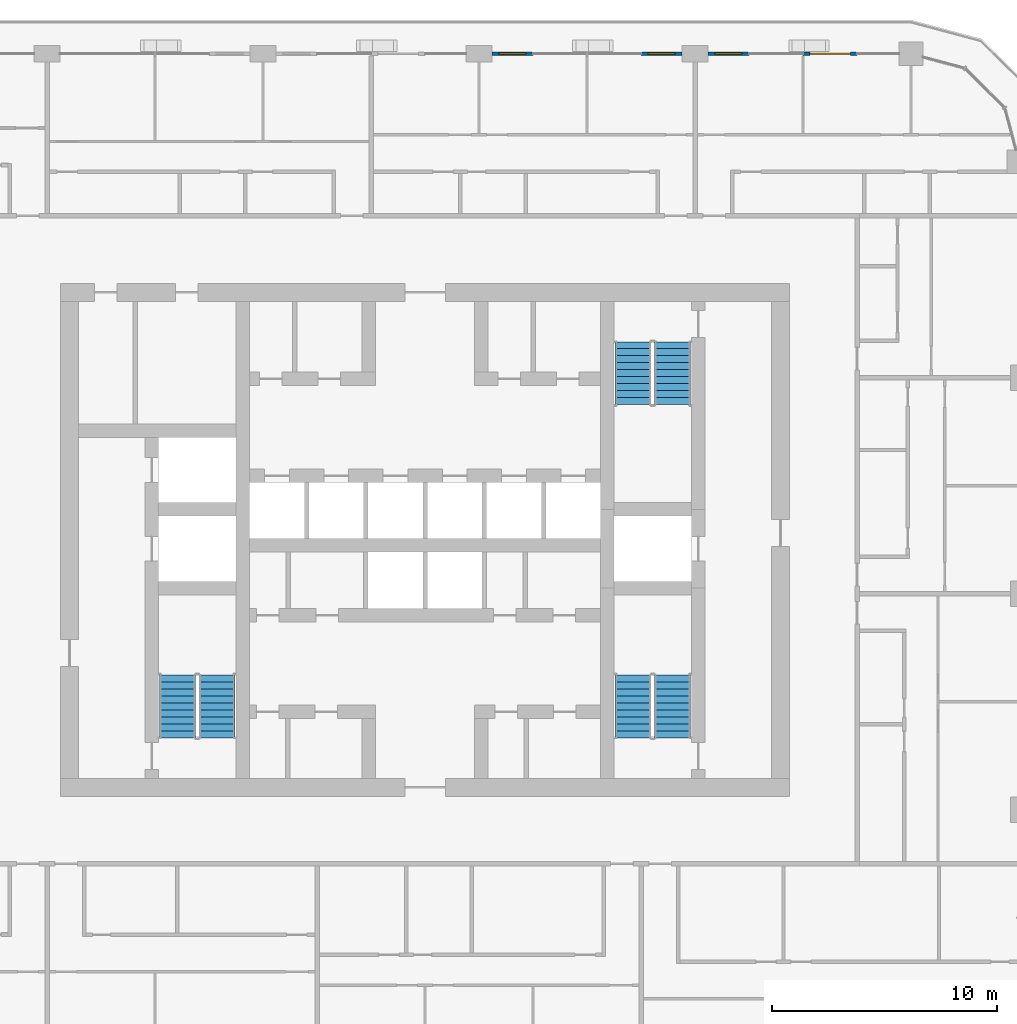
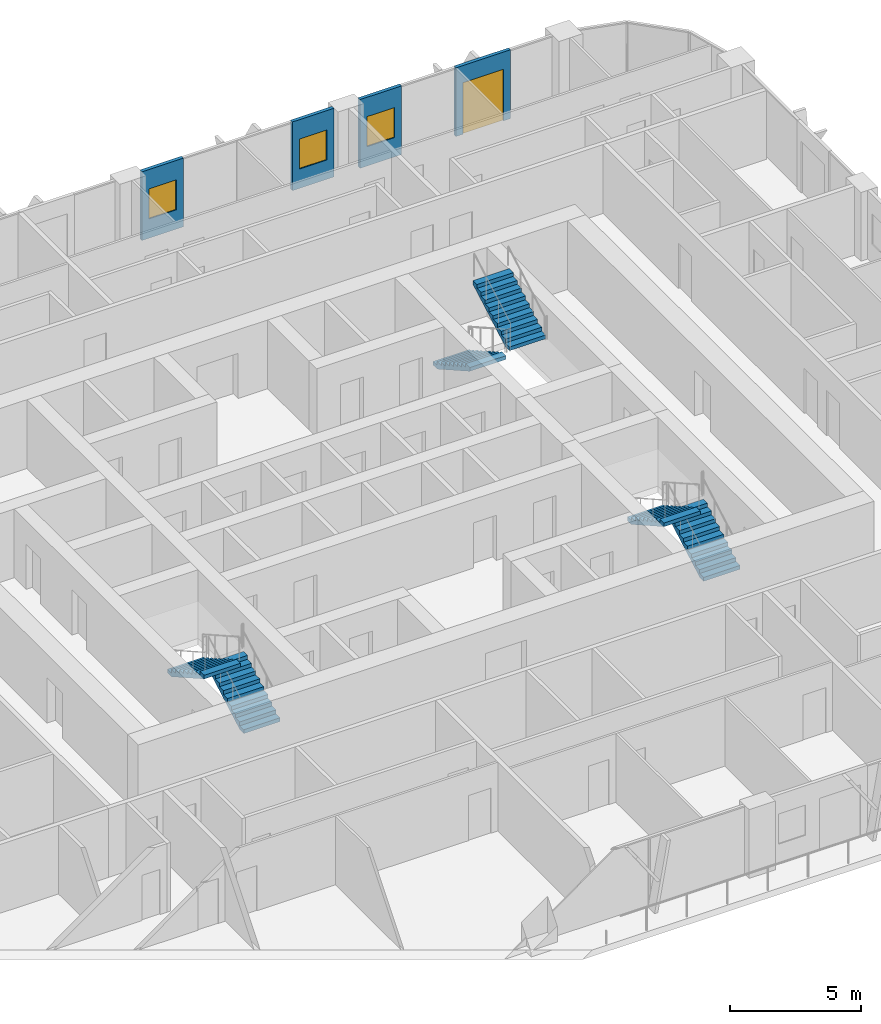
# One storey, part 16 of 22: 6 stair flights, 4 walls, 3 windows, 1 door, 4 openings, 3 elements without a shape of their own.
"""IFC4 building model written with IfcOpenShell, lengths in metres."""

from ifc_helpers import new_model, si_unit, direction, frame, frame_2d, origin, place, context, subcontext, project, spatial, polyline, rectangle, outline, extrude, material, layer, layer_set, type_object, element, fill, aggregate, save


model = new_model("IFC4")

# Units and contexts
model_context = context("Model", 3, precision=1e-05, world=origin(), true_north=direction((0.0, 1.0)))
body_context = subcontext(model_context, "Body", "Model", "MODEL_VIEW")
ifc_project = project(units=[si_unit("LENGTHUNIT", "METRE"), si_unit("AREAUNIT", "SQUARE_METRE"), si_unit("VOLUMEUNIT", "CUBIC_METRE"), si_unit("PLANEANGLEUNIT", "RADIAN"), si_unit("MASSUNIT", "GRAM", prefix="KILO")], contexts=[model_context])

# Site, building, storey
site_placement = place(None, origin())
site = spatial("IfcSite", under=ifc_project, at=site_placement, CompositionType="ELEMENT")
building_placement = place(site_placement, origin())
building = spatial("IfcBuilding", under=site, at=building_placement, Name="Madar Terraces", CompositionType="ELEMENT")
storey_placement = place(building_placement, frame((0.0, 0.0, 156.0)))
storey = spatial("IfcBuildingStorey", under=building, at=storey_placement, Name="L40", CompositionType="ELEMENT", Elevation=156.0)

# Wall, opening, door
ifc_material_1 = material(Name="Aluminium composite panel, black, over insulated backing", Category="aluminium")
ifc_layer = layer(ifc_material_1, 0.14990234375)
ifc_layer_set = layer_set([ifc_layer], Name="Facade bay panel 150")
wall_type = type_object("IfcWallType", Name="Facade bay panel 150", PredefinedType="SOLIDWALL", material=ifc_layer_set)
wall_1_placement = place(storey_placement, frame((50.39990234375, 48.0, 0.0), z_axis=(0.0, 0.0, 1.0), x_axis=(-1.0, 0.0, 0.0)))
wall_1 = element("IfcWall", 1, at=wall_1_placement, inside=storey, type_object=wall_type, Name="Facade bay panel", PredefinedType="SOLIDWALL", context=body_context, shape_type="SweptSolid", body=[
    extrude(rectangle(XDim=2.39990234375, YDim=0.14990234375, at=frame_2d((1.199951171875, 0.0))), origin(), (0.0, 0.0, 1.0), 3.199951171875),
])
opening_1_placement = place(wall_1_placement, frame((0.300048828125, 0.0, 0.0)))
opening_1 = element("IfcOpeningElement", 2, at=opening_1_placement, cuts=wall_1, Name="Opening ED1", PredefinedType="OPENING", context=body_context, shape_type="SweptSolid", body=[
    extrude(rectangle(XDim=1.800048828125, YDim=2.39990234375, at=frame_2d((0.89990234375, 1.199951171875))), frame((0.0, 0.0849609375, 0.0), z_axis=(0.0, -1.0, 0.0), x_axis=(1.0, 0.0, 0.0)), (0.0, 0.0, 1.0), 0.169921875),
])
ifc_material_2 = material(Name="Glass, clear, with black aluminium frame", Category="aluminium")
door_type = type_object("IfcDoorType", Name="Balcony and terrace sliding door 1800 x 2400", OperationType="SLIDING_TO_LEFT", PredefinedType="DOOR", material=ifc_material_2)
door_placement = place(opening_1_placement, origin())
door = element("IfcDoor", 3, at=door_placement, inside=storey, type_object=door_type, Name="Balcony door", OperationType="SLIDING_TO_RIGHT", OverallHeight=2.39990234375, OverallWidth=1.800048828125, PredefinedType="DOOR", context=body_context, shape_type="SweptSolid", body=[
    extrude(rectangle(XDim=1.800048828125, YDim=2.39990234375, at=frame_2d((0.89990234375, 1.199951171875))), frame((0.0, 0.02490234375, 0.0), z_axis=(0.0, -1.0, 0.0), x_axis=(1.0, 0.0, 0.0)), (0.0, 0.0, 1.0), 0.050048828125),
])
fill(opening_1, door)

# Wall, opening, window
wall_2_placement = place(storey_placement, frame((45.60009765625, 48.0, 0.0), z_axis=(0.0, 0.0, 1.0), x_axis=(-1.0, 0.0, 0.0)))
wall_2 = element("IfcWall", 4, at=wall_2_placement, inside=storey, type_object=wall_type, Name="Facade bay panel", PredefinedType="SOLIDWALL", context=body_context, shape_type="SweptSolid", body=[
    extrude(rectangle(XDim=1.8251953125, YDim=0.14990234375, at=frame_2d((0.91259765625, 0.0))), origin(), (0.0, 0.0, 1.0), 3.199951171875),
])
opening_2_placement = place(wall_2_placement, frame((0.3125, 0.0, 0.89990234375)))
opening_2 = element("IfcOpeningElement", 5, at=opening_2_placement, cuts=wall_2, Name="Opening W1", PredefinedType="OPENING", context=body_context, shape_type="SweptSolid", body=[
    extrude(rectangle(XDim=1.199951171875, YDim=1.39990234375, at=frame_2d((0.60009765625, 0.699951171875))), frame((0.0, 0.0849609375, 0.0), z_axis=(0.0, -1.0, 0.0), x_axis=(1.0, 0.0, 0.0)), (0.0, 0.0, 1.0), 0.169921875),
])
ifc_material_3 = material(Name="Glass, clear, with black aluminium frame", Category="aluminium")
window_type = type_object("IfcWindowType", Name="Vent window 1200 x 1400", PartitioningType="SINGLE_PANEL", PredefinedType="WINDOW", material=ifc_material_3)
window_1_placement = place(opening_2_placement, origin())
window_1 = element("IfcWindow", 6, at=window_1_placement, inside=storey, type_object=window_type, Name="Operable vent window", OverallHeight=1.39990234375, OverallWidth=1.199951171875, PartitioningType="SINGLE_PANEL", PredefinedType="WINDOW", context=body_context, shape_type="SweptSolid", body=[
    extrude(rectangle(XDim=1.199951171875, YDim=1.39990234375, at=frame_2d((0.60009765625, 0.699951171875))), frame((0.0, 0.030029296875, 0.0), z_axis=(0.0, -1.0, 0.0), x_axis=(1.0, 0.0, 0.0)), (0.0, 0.0, 1.0), 0.06005859375),
])
fill(opening_2, window_1)

wall_3_placement = place(storey_placement, frame((42.625, 48.0, 0.0), z_axis=(0.0, 0.0, 1.0), x_axis=(-1.0, 0.0, 0.0)))
wall_3 = element("IfcWall", 7, at=wall_3_placement, inside=storey, type_object=wall_type, Name="Facade bay panel", PredefinedType="SOLIDWALL", context=body_context, shape_type="SweptSolid", body=[
    extrude(rectangle(XDim=1.824951171875, YDim=0.14990234375, at=frame_2d((0.91259765625, 0.0))), origin(), (0.0, 0.0, 1.0), 3.199951171875),
])
opening_3_placement = place(wall_3_placement, frame((0.3125, 0.0, 0.89990234375)))
opening_3 = element("IfcOpeningElement", 8, at=opening_3_placement, cuts=wall_3, Name="Opening W1", PredefinedType="OPENING", context=body_context, shape_type="SweptSolid", body=[
    extrude(rectangle(XDim=1.199951171875, YDim=1.39990234375, at=frame_2d((0.60009765625, 0.699951171875))), frame((0.0, 0.0849609375, 0.0), z_axis=(0.0, -1.0, 0.0), x_axis=(1.0, 0.0, 0.0)), (0.0, 0.0, 1.0), 0.169921875),
])
window_2_placement = place(opening_3_placement, origin())
window_2 = element("IfcWindow", 9, at=window_2_placement, inside=storey, type_object=window_type, Name="Operable vent window", OverallHeight=1.39990234375, OverallWidth=1.199951171875, PartitioningType="SINGLE_PANEL", PredefinedType="WINDOW", context=body_context, shape_type="SweptSolid", body=[
    extrude(rectangle(XDim=1.199951171875, YDim=1.39990234375, at=frame_2d((0.60009765625, 0.699951171875))), frame((0.0, 0.030029296875, 0.0), z_axis=(0.0, -1.0, 0.0), x_axis=(1.0, 0.0, 0.0)), (0.0, 0.0, 1.0), 0.06005859375),
])
fill(opening_3, window_2)

wall_4_placement = place(storey_placement, frame((36.0, 48.0, 0.0), z_axis=(0.0, 0.0, 1.0), x_axis=(-1.0, 0.0, 0.0)))
wall_4 = element("IfcWall", 10, at=wall_4_placement, inside=storey, type_object=wall_type, Name="Facade bay panel", PredefinedType="SOLIDWALL", context=body_context, shape_type="SweptSolid", body=[
    extrude(rectangle(XDim=1.824951171875, YDim=0.14990234375, at=frame_2d((0.91259765625, 0.0))), origin(), (0.0, 0.0, 1.0), 3.199951171875),
])
opening_4_placement = place(wall_4_placement, frame((0.3125, 0.0, 0.89990234375)))
opening_4 = element("IfcOpeningElement", 11, at=opening_4_placement, cuts=wall_4, Name="Opening W1", PredefinedType="OPENING", context=body_context, shape_type="SweptSolid", body=[
    extrude(rectangle(XDim=1.199951171875, YDim=1.39990234375, at=frame_2d((0.60009765625, 0.699951171875))), frame((0.0, 0.0849609375, 0.0), z_axis=(0.0, -1.0, 0.0), x_axis=(1.0, 0.0, 0.0)), (0.0, 0.0, 1.0), 0.169921875),
])
window_3_placement = place(opening_4_placement, origin())
window_3 = element("IfcWindow", 12, at=window_3_placement, inside=storey, type_object=window_type, Name="Operable vent window", OverallHeight=1.39990234375, OverallWidth=1.199951171875, PartitioningType="SINGLE_PANEL", PredefinedType="WINDOW", context=body_context, shape_type="SweptSolid", body=[
    extrude(rectangle(XDim=1.199951171875, YDim=1.39990234375, at=frame_2d((0.60009765625, 0.699951171875))), frame((0.0, 0.030029296875, 0.0), z_axis=(0.0, -1.0, 0.0), x_axis=(1.0, 0.0, 0.0)), (0.0, 0.0, 1.0), 0.06005859375),
])
fill(opening_4, window_3)

# Stair, stair flights
ifc_material_4 = material(Name="Concrete C50/60", Category="concrete")
stair_type_1 = type_object("IfcStairType", Name="Stair ST1 protected exit", PredefinedType="HALF_TURN_STAIR", material=ifc_material_4)
stair_1_placement = place(storey_placement, origin())
stair_1 = element("IfcStair", 13, at=stair_1_placement, inside=storey, type_object=stair_type_1, Name="L40 Protected Exit Stair ST1", PredefinedType="HALF_TURN_STAIR")
ifc_material_5 = material(Name="Concrete C50/60", Category="concrete")
stair_flight_type_1 = type_object("IfcStairFlightType", Name="Stair flight ST1-F4, 1600 wide, 10 risers", PredefinedType="STRAIGHT", material=ifc_material_5)
stair_flight_1_placement = place(storey_placement, frame((21.949951171875, 17.60009765625, 0.0), z_axis=(0.0, 0.0, 1.0), x_axis=(0.0, 1.0, 0.0)))
stair_flight_1 = element("IfcStairFlight", 14, at=stair_flight_1_placement, type_object=stair_flight_type_1, Name="ST1 flight 1", NumberOfRisers=10, NumberOfTreads=9, PredefinedType="STRAIGHT", RiserHeight=0.175, TreadLength=0.31, context=body_context, shape_type="SweptSolid", body=[
    extrude(outline(polyline([(0.0, 0.0), (0.0, 0.175048828125), (0.31005859375, 0.175048828125), (0.31005859375, 0.35009765625), (0.6201171875, 0.35009765625), (0.6201171875, 0.52490234375), (0.929931640625, 0.52490234375), (0.929931640625, 0.699951171875), (1.239990234375, 0.699951171875), (1.239990234375, 0.875), (1.550048828125, 0.875), (1.550048828125, 1.050048828125), (1.860107421875, 1.050048828125), (1.860107421875, 1.22509765625), (2.169921875, 1.22509765625), (2.169921875, 1.39990234375), (2.47998046875, 1.39990234375), (2.47998046875, 1.574951171875), (2.7900390625, 1.574951171875), (2.7900390625, 1.75), (2.7900390625, 1.40283203125), (0.304931640625, 0.0), (0.0, 0.0)])), frame((0.0, 0.800048828125, 0.0), z_axis=(0.0, -1.0, 0.0), x_axis=(1.0, 0.0, 0.0)), (0.0, 0.0, 1.0), 1.60009765625),
])
stair_flight_2_placement = place(storey_placement, frame((20.199951171875, 20.389892578125, 1.75), z_axis=(0.0, 0.0, 1.0), x_axis=(0.0, -1.0, 0.0)))
stair_flight_2 = element("IfcStairFlight", 15, at=stair_flight_2_placement, type_object=stair_flight_type_1, Name="ST1 flight 2", NumberOfRisers=10, NumberOfTreads=9, PredefinedType="STRAIGHT", RiserHeight=0.175, TreadLength=0.31, context=body_context, shape_type="SweptSolid", body=[
    extrude(outline(polyline([(0.0, 0.0), (0.0, 0.175048828125), (0.31005859375, 0.175048828125), (0.31005859375, 0.35009765625), (0.6201171875, 0.35009765625), (0.6201171875, 0.52490234375), (0.929931640625, 0.52490234375), (0.929931640625, 0.699951171875), (1.239990234375, 0.699951171875), (1.239990234375, 0.875), (1.550048828125, 0.875), (1.550048828125, 1.050048828125), (1.860107421875, 1.050048828125), (1.860107421875, 1.22509765625), (2.169921875, 1.22509765625), (2.169921875, 1.39990234375), (2.47998046875, 1.39990234375), (2.47998046875, 1.574951171875), (2.7900390625, 1.574951171875), (2.7900390625, 1.75), (2.7900390625, 1.40283203125), (0.304931640625, 0.0), (0.0, 0.0)])), frame((0.0, 0.800048828125, 0.0), z_axis=(0.0, -1.0, 0.0), x_axis=(1.0, 0.0, 0.0)), (0.0, 0.0, 1.0), 1.60009765625),
])
aggregate(stair_1, [stair_flight_1, stair_flight_2])

ifc_material_6 = material(Name="Concrete C50/60", Category="concrete")
stair_type_2 = type_object("IfcStairType", Name="Stair ST2 protected exit", PredefinedType="HALF_TURN_STAIR", material=ifc_material_6)
stair_2_placement = place(storey_placement, origin())
stair_2 = element("IfcStair", 16, at=stair_2_placement, inside=storey, type_object=stair_type_2, Name="L40 Protected Exit Stair ST2", PredefinedType="HALF_TURN_STAIR")
ifc_material_7 = material(Name="Concrete C50/60", Category="concrete")
stair_flight_type_2 = type_object("IfcStairFlightType", Name="Stair flight ST2-F4, 1600 wide, 10 risers", PredefinedType="STRAIGHT", material=ifc_material_7)
stair_flight_3_placement = place(storey_placement, frame((40.449951171875, 35.199951171875, 0.0), z_axis=(0.0, 0.0, 1.0), x_axis=(0.0, -1.0, 0.0)))
stair_flight_3 = element("IfcStairFlight", 17, at=stair_flight_3_placement, type_object=stair_flight_type_2, Name="ST2 flight 1", NumberOfRisers=10, NumberOfTreads=9, PredefinedType="STRAIGHT", RiserHeight=0.175, TreadLength=0.31, context=body_context, shape_type="SweptSolid", body=[
    extrude(outline(polyline([(0.0, 0.0), (0.0, 0.175048828125), (0.31005859375, 0.175048828125), (0.31005859375, 0.35009765625), (0.6201171875, 0.35009765625), (0.6201171875, 0.52490234375), (0.929931640625, 0.52490234375), (0.929931640625, 0.699951171875), (1.239990234375, 0.699951171875), (1.239990234375, 0.875), (1.550048828125, 0.875), (1.550048828125, 1.050048828125), (1.860107421875, 1.050048828125), (1.860107421875, 1.22509765625), (2.169921875, 1.22509765625), (2.169921875, 1.39990234375), (2.47998046875, 1.39990234375), (2.47998046875, 1.574951171875), (2.7900390625, 1.574951171875), (2.7900390625, 1.75), (2.7900390625, 1.40283203125), (0.304931640625, 0.0), (0.0, 0.0)])), frame((0.0, 0.800048828125, 0.0), z_axis=(0.0, -1.0, 0.0), x_axis=(1.0, 0.0, 0.0)), (0.0, 0.0, 1.0), 1.60009765625),
])
stair_flight_4_placement = place(storey_placement, frame((42.199951171875, 32.409912109375, 1.75), z_axis=(0.0, 0.0, 1.0), x_axis=(0.0, 1.0, 0.0)))
stair_flight_4 = element("IfcStairFlight", 18, at=stair_flight_4_placement, type_object=stair_flight_type_2, Name="ST2 flight 2", NumberOfRisers=10, NumberOfTreads=9, PredefinedType="STRAIGHT", RiserHeight=0.175, TreadLength=0.31, context=body_context, shape_type="SweptSolid", body=[
    extrude(outline(polyline([(0.0, 0.0), (0.0, 0.175048828125), (0.31005859375, 0.175048828125), (0.31005859375, 0.35009765625), (0.6201171875, 0.35009765625), (0.6201171875, 0.52490234375), (0.929931640625, 0.52490234375), (0.929931640625, 0.699951171875), (1.239990234375, 0.699951171875), (1.239990234375, 0.875), (1.550048828125, 0.875), (1.550048828125, 1.050048828125), (1.860107421875, 1.050048828125), (1.860107421875, 1.22509765625), (2.169921875, 1.22509765625), (2.169921875, 1.39990234375), (2.47998046875, 1.39990234375), (2.47998046875, 1.574951171875), (2.7900390625, 1.574951171875), (2.7900390625, 1.75), (2.7900390625, 1.40283203125), (0.304931640625, 0.0), (0.0, 0.0)])), frame((0.0, 0.800048828125, 0.0), z_axis=(0.0, -1.0, 0.0), x_axis=(1.0, 0.0, 0.0)), (0.0, 0.0, 1.0), 1.60009765625),
])
aggregate(stair_2, [stair_flight_3, stair_flight_4])

ifc_material_8 = material(Name="Concrete C50/60", Category="concrete")
stair_type_3 = type_object("IfcStairType", Name="Stair ST3 protected exit", PredefinedType="HALF_TURN_STAIR", material=ifc_material_8)
stair_3_placement = place(storey_placement, origin())
stair_3 = element("IfcStair", 19, at=stair_3_placement, inside=storey, type_object=stair_type_3, Name="L40 Protected Exit Stair ST3", PredefinedType="HALF_TURN_STAIR")
ifc_material_9 = material(Name="Concrete C50/60", Category="concrete")
stair_flight_type_3 = type_object("IfcStairFlightType", Name="Stair flight ST3-F4, 1600 wide, 10 risers", PredefinedType="STRAIGHT", material=ifc_material_9)
stair_flight_5_placement = place(storey_placement, frame((42.199951171875, 17.60009765625, 0.0), z_axis=(0.0, 0.0, 1.0), x_axis=(0.0, 1.0, 0.0)))
stair_flight_5 = element("IfcStairFlight", 20, at=stair_flight_5_placement, type_object=stair_flight_type_3, Name="ST3 flight 1", NumberOfRisers=10, NumberOfTreads=9, PredefinedType="STRAIGHT", RiserHeight=0.175, TreadLength=0.31, context=body_context, shape_type="SweptSolid", body=[
    extrude(outline(polyline([(0.0, 0.0), (0.0, 0.175048828125), (0.31005859375, 0.175048828125), (0.31005859375, 0.35009765625), (0.6201171875, 0.35009765625), (0.6201171875, 0.52490234375), (0.929931640625, 0.52490234375), (0.929931640625, 0.699951171875), (1.239990234375, 0.699951171875), (1.239990234375, 0.875), (1.550048828125, 0.875), (1.550048828125, 1.050048828125), (1.860107421875, 1.050048828125), (1.860107421875, 1.22509765625), (2.169921875, 1.22509765625), (2.169921875, 1.39990234375), (2.47998046875, 1.39990234375), (2.47998046875, 1.574951171875), (2.7900390625, 1.574951171875), (2.7900390625, 1.75), (2.7900390625, 1.40283203125), (0.304931640625, 0.0), (0.0, 0.0)])), frame((0.0, 0.800048828125, 0.0), z_axis=(0.0, -1.0, 0.0), x_axis=(1.0, 0.0, 0.0)), (0.0, 0.0, 1.0), 1.60009765625),
])
stair_flight_6_placement = place(storey_placement, frame((40.449951171875, 20.389892578125, 1.75), z_axis=(0.0, 0.0, 1.0), x_axis=(0.0, -1.0, 0.0)))
stair_flight_6 = element("IfcStairFlight", 21, at=stair_flight_6_placement, type_object=stair_flight_type_3, Name="ST3 flight 2", NumberOfRisers=10, NumberOfTreads=9, PredefinedType="STRAIGHT", RiserHeight=0.175, TreadLength=0.31, context=body_context, shape_type="SweptSolid", body=[
    extrude(outline(polyline([(0.0, 0.0), (0.0, 0.175048828125), (0.31005859375, 0.175048828125), (0.31005859375, 0.35009765625), (0.6201171875, 0.35009765625), (0.6201171875, 0.52490234375), (0.929931640625, 0.52490234375), (0.929931640625, 0.699951171875), (1.239990234375, 0.699951171875), (1.239990234375, 0.875), (1.550048828125, 0.875), (1.550048828125, 1.050048828125), (1.860107421875, 1.050048828125), (1.860107421875, 1.22509765625), (2.169921875, 1.22509765625), (2.169921875, 1.39990234375), (2.47998046875, 1.39990234375), (2.47998046875, 1.574951171875), (2.7900390625, 1.574951171875), (2.7900390625, 1.75), (2.7900390625, 1.40283203125), (0.304931640625, 0.0), (0.0, 0.0)])), frame((0.0, 0.800048828125, 0.0), z_axis=(0.0, -1.0, 0.0), x_axis=(1.0, 0.0, 0.0)), (0.0, 0.0, 1.0), 1.60009765625),
])
aggregate(stair_3, [stair_flight_5, stair_flight_6])

save(model, "model.ifc")
